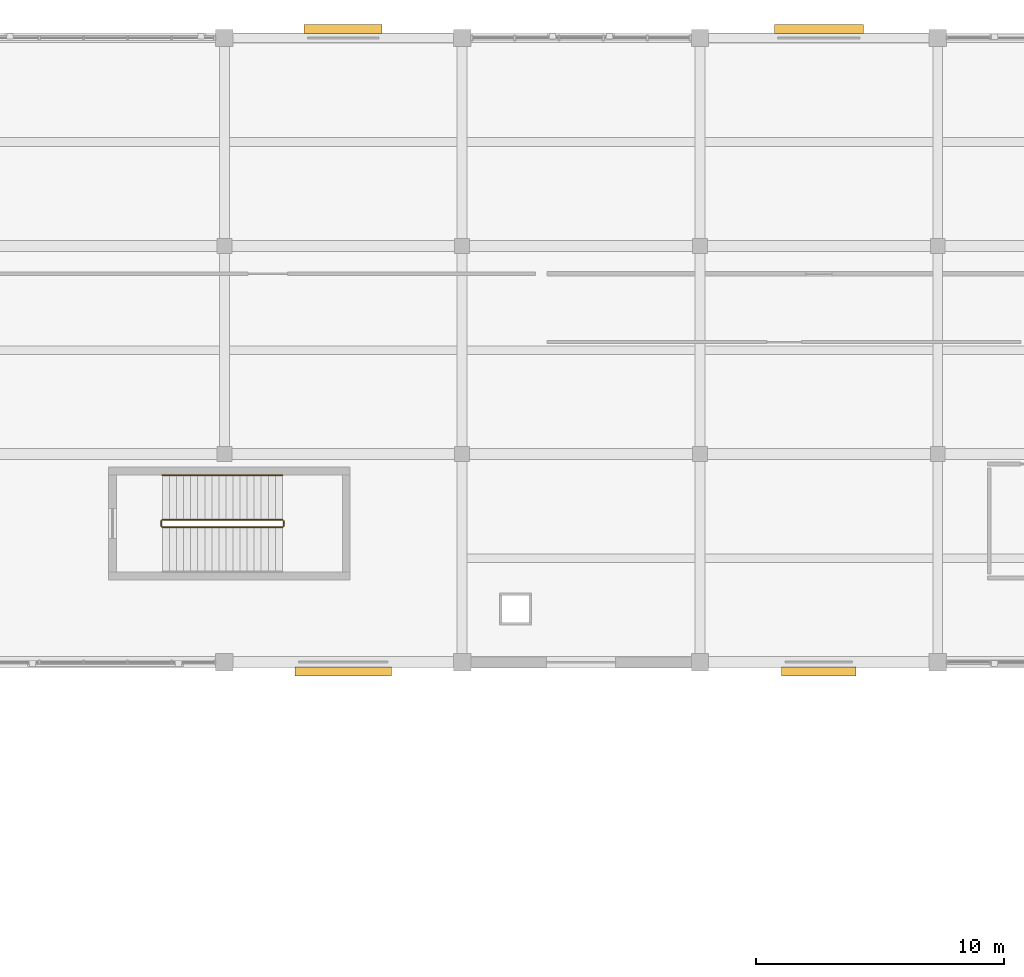
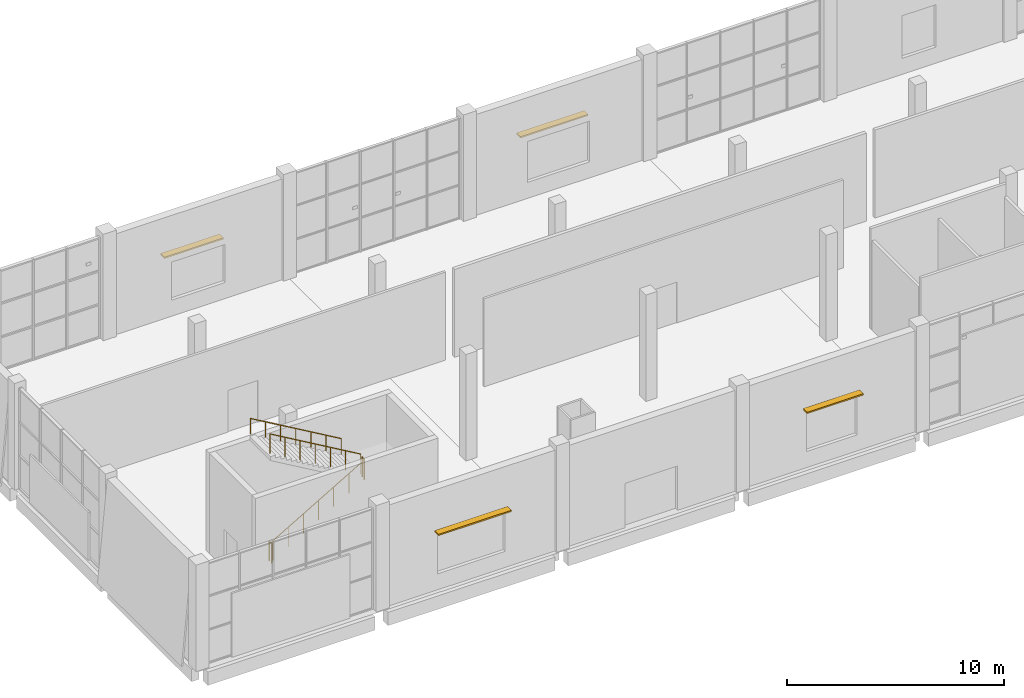
# One storey, part 78 of 84: 5 railings, 4 shading devices.
"""IFC4 building model written with IfcOpenShell, lengths in metres."""

import ifcopenshell
import ifcopenshell.guid

model = None  # the IFC model being written
_history = None  # IfcOwnerHistory: only IFC2X3 demands one
_inside = {}  # id of a spatial element -> (the spatial element, [elements in it])
_under = {}  # id of a project, library or spatial element -> (it, [spatial elements below it])
_declared = {}  # id of a project -> (the project, [libraries it declares])
_typed = {}  # id of a type object -> (the type object, [elements of that type])
_made_of = {}  # id of a material, layer set ... -> (it, [elements and type objects made of it])


def new_model(schema):
    """Start an empty IFC model of exactly this schema.

    Asked for "IFC4X3", IfcOpenShell would pick the latest addendum, in which some entities
    have other attributes; the version numbers below select the first issue.
    IFC2X3 requires an IfcOwnerHistory on every rooted entity: one is made here for all.
    """
    global model, _history
    if schema == "IFC4X3":
        model = ifcopenshell.file(schema_version=(4, 3, 0, 0))
    else:
        model = ifcopenshell.file(schema=schema)
    _inside.clear()
    _under.clear()
    _declared.clear()
    _typed.clear()
    _made_of.clear()
    _history = None
    if model.schema == "IFC2X3":
        org = make("IfcOrganization", Name="unknown")
        user = make(
            "IfcPersonAndOrganization",
            ThePerson=make("IfcPerson", FamilyName="unknown"),
            TheOrganization=org,
        )
        app = make(
            "IfcApplication",
            ApplicationDeveloper=org,
            Version="unknown",
            ApplicationFullName="unknown",
            ApplicationIdentifier="unknown",
        )
        _history = make(
            "IfcOwnerHistory",
            OwningUser=user,
            OwningApplication=app,
            ChangeAction="ADDED",
            CreationDate=0,
        )
    return model


def make(cls, **values):
    """One entity of the class cls with the attributes given. An attribute that is None is left unset."""
    return model.create_entity(
        cls, **{name: value for name, value in values.items() if value is not None}
    )


def rooted(cls, **values):
    """An entity with a GlobalId (a new one), such as an element, a storey or a relation."""
    return make(cls, GlobalId=ifcopenshell.guid.new(), OwnerHistory=_history, **values)


def si_unit(unit_type, name, prefix=None):
    """IfcSIUnit, for example si_unit("LENGTHUNIT", "METRE", prefix="MILLI")."""
    return make("IfcSIUnit", UnitType=unit_type, Prefix=prefix, Name=name)


def assignment(units):
    """IfcUnitAssignment: the units of a project."""
    return None if units is None else make("IfcUnitAssignment", Units=units)


def point(xyz):
    """IfcCartesianPoint."""
    return None if xyz is None else make("IfcCartesianPoint", Coordinates=xyz)


def direction(xyz):
    """IfcDirection."""
    return None if xyz is None else make("IfcDirection", DirectionRatios=xyz)


def frame(location, z_axis=None, x_axis=None):
    """IfcAxis2Placement3D, a coordinate frame: its origin and axes. An axis left out is left unset."""
    return make(
        "IfcAxis2Placement3D",
        Location=point(location),
        Axis=direction(z_axis),
        RefDirection=direction(x_axis),
    )


def frame_2d(location, x_axis=None):
    """IfcAxis2Placement2D, a coordinate frame in the plane: its origin and x axis."""
    return make(
        "IfcAxis2Placement2D", Location=point(location), RefDirection=direction(x_axis)
    )


def origin():
    """The frame at (0, 0, 0) with its axes left unset."""
    return frame((0.0, 0.0, 0.0))


def origin_2d():
    """The frame at (0, 0) in the plane with its x axis left unset."""
    return frame_2d((0.0, 0.0))


def place(relative_to, where):
    """IfcLocalPlacement: puts the frame where relative to a parent placement (None: the world)."""
    return make(
        "IfcLocalPlacement", PlacementRelTo=relative_to, RelativePlacement=where
    )


def context(
    kind, dimensions, precision=None, world=None, true_north=None, identifier=None
):
    """IfcGeometricRepresentationContext, for example the 3D "Model" context."""
    return make(
        "IfcGeometricRepresentationContext",
        ContextIdentifier=identifier,
        ContextType=kind,
        CoordinateSpaceDimension=dimensions,
        Precision=precision,
        WorldCoordinateSystem=world,
        TrueNorth=true_north,
    )


def subcontext(parent, identifier, kind, view, scale=None):
    """IfcGeometricRepresentationSubContext, for example "Body" below "Model"."""
    return make(
        "IfcGeometricRepresentationSubContext",
        ContextIdentifier=identifier,
        ContextType=kind,
        ParentContext=parent,
        TargetScale=scale,
        TargetView=view,
    )


def project(units=None, contexts=None):
    """IfcProject with its units and contexts."""
    return rooted(
        "IfcProject",
        Name="project",
        RepresentationContexts=contexts,
        UnitsInContext=assignment(units),
    )


def spatial(cls, under=None, at=None, **own):
    """A site, building, storey or space (cls), placed at a placement, below another one or the project."""
    s = rooted(cls, ObjectPlacement=at, **own)
    if under is not None:
        _under.setdefault(under.id(), (under, []))[1].append(s)
    return s


def profile(cls, at=None, kind="AREA", **sizes):
    """A parametric profile (cls). Its sizes go by their IFC names, for example OverallWidth=200.0."""
    return make(cls, ProfileType=kind, Position=at, **sizes)


def rectangle(**sizes):
    """IfcRectangleProfileDef."""
    return profile("IfcRectangleProfileDef", **sizes)


def circle(**sizes):
    """IfcCircleProfileDef."""
    return profile("IfcCircleProfileDef", **sizes)


def extrude(swept, where, along, depth):
    """IfcExtrudedAreaSolid: the profile swept, set in the frame where, extruded along a direction by depth."""
    return make(
        "IfcExtrudedAreaSolid",
        SweptArea=swept,
        Position=where,
        ExtrudedDirection=direction(along),
        Depth=depth,
    )


def shape(context_of_items, identifier, shape_type, items):
    """IfcShapeRepresentation: the items that make up one representation, for example the "Body"."""
    return make(
        "IfcShapeRepresentation",
        ContextOfItems=context_of_items,
        RepresentationIdentifier=identifier,
        RepresentationType=shape_type,
        Items=items,
    )


def material(Name=None, Category=None):
    """IfcMaterial."""
    return make("IfcMaterial", Name=Name, Category=Category)


def made_of(thing, what):
    """Note that an element or type object is made of a material, layer set ...; save() writes the relation."""
    if what is not None:
        _made_of.setdefault(what.id(), (what, []))[1].append(thing)
    return thing


def type_object(cls, material=None, **own):
    """A type object (cls), such as IfcWallType, which elements share."""
    return made_of(rooted(cls, **own), material)


def element(
    cls,
    number,
    at=None,
    inside=None,
    cuts=None,
    type_object=None,
    material=None,
    context=None,
    identifier="Body",
    shape_type=None,
    held_by="IfcProductDefinitionShape",
    body=None,
    shapes=None,
    **own,
):
    """One element of the class cls, such as IfcWall. Its Tag is "e" and its number.

    at: its placement. inside: the storey or other place that contains it. cuts: it is an
    opening in that element (IfcRelVoidsElement). A single representation is given by context,
    identifier, shape_type and body (its items); several are given by shapes. held_by: the class
    of the entity that holds the representations. save() writes the other relations.
    """
    e = rooted(cls, Tag="e%d" % number, ObjectPlacement=at, **own)
    if body is not None:
        shapes = [shape(context, identifier, shape_type, body)]
    if shapes is not None:
        e.Representation = make(held_by, Representations=shapes)
    if inside is not None:
        _inside.setdefault(inside.id(), (inside, []))[1].append(e)
    if cuts is not None:
        rooted(
            "IfcRelVoidsElement", RelatingBuildingElement=cuts, RelatedOpeningElement=e
        )
    if type_object is not None:
        _typed.setdefault(type_object.id(), (type_object, []))[1].append(e)
    return made_of(e, material)


def aggregate(whole, parts):
    """IfcRelAggregates: a whole, such as a stair, and the parts it consists of."""
    return rooted("IfcRelAggregates", RelatingObject=whole, RelatedObjects=parts)


def save(model, path):
    """Write the relations noted so far, then the file.

    IfcRelAggregates (storeys below a building ...), IfcRelContainedInSpatialStructure (elements
    in a storey), IfcRelDefinesByType, IfcRelAssociatesMaterial and IfcRelDeclares: one each for
    every whole, place, type object, material and project.
    """
    for whole, parts in _under.values():
        aggregate(whole, parts)
    for where, things in _inside.values():
        rooted(
            "IfcRelContainedInSpatialStructure",
            RelatedElements=things,
            RelatingStructure=where,
        )
    for kind, things in _typed.values():
        rooted("IfcRelDefinesByType", RelatedObjects=things, RelatingType=kind)
    for what, things in _made_of.values():
        rooted("IfcRelAssociatesMaterial", RelatedObjects=things, RelatingMaterial=what)
    for by, libraries in _declared.values():
        rooted("IfcRelDeclares", RelatingContext=by, RelatedDefinitions=libraries)
    model.write(path)


model = new_model("IFC4")

# Units and contexts
model_context = context("Model", 3, precision=1e-05, world=origin(), true_north=direction((0.0, 1.0)))
body_context = subcontext(model_context, "Body", "Model", "MODEL_VIEW")
ifc_project = project(units=[si_unit("LENGTHUNIT", "METRE"), si_unit("AREAUNIT", "SQUARE_METRE"), si_unit("VOLUMEUNIT", "CUBIC_METRE"), si_unit("PLANEANGLEUNIT", "RADIAN"), si_unit("MASSUNIT", "GRAM", prefix="KILO")], contexts=[model_context])

# Site, building, storey
site_placement = place(None, origin())
site = spatial("IfcSite", under=ifc_project, at=site_placement, CompositionType="ELEMENT")
building_placement = place(site_placement, origin())
building = spatial("IfcBuilding", under=site, at=building_placement, Name="Shalvenor Court Art Gallery", CompositionType="ELEMENT")
storey_placement = place(building_placement, origin())
storey = spatial("IfcBuildingStorey", under=building, at=storey_placement, Name="L00", CompositionType="ELEMENT", Elevation=0.0)

# Railings
ifc_material_1 = material(Name="Painted steel post-and-rail guard", Category="steel")
railing_type_1 = type_object("IfcRailingType", Name="GR-02", PredefinedType="GUARDRAIL", material=ifc_material_1)
railing_1_placement = place(storey_placement, frame((64.699951171875, 102.64990234375, 0.166748046875)))
element("IfcRailing", 1, at=railing_1_placement, inside=storey, type_object=railing_type_1, Name="L00 ST-09 Stair Guard 1", PredefinedType="GUARDRAIL", context=body_context, shape_type="SweptSolid", body=[
    extrude(circle(Radius=0.02392578125, at=origin_2d()), frame((0.0, 0.0, 1.09619140625), z_axis=(0.863234098208, 0.0, 0.504803815052), x_axis=(0.0, 1.0, 0.0)), (0.0, 0.0, 1.0), 5.612548828125),
    extrude(circle(Radius=0.02099609375, at=origin_2d()), origin(), (0.0, 0.0, 1.0), 1.072021484375),
    extrude(circle(Radius=0.02099609375, at=origin_2d()), frame((0.8076171875, 0.0, 0.47216796875)), (0.0, 0.0, 1.0), 1.072021484375),
    extrude(circle(Radius=0.02099609375, at=origin_2d()), frame((1.614990234375, 0.0, 0.9443359375)), (0.0, 0.0, 1.0), 1.072021484375),
    extrude(circle(Radius=0.02099609375, at=origin_2d()), frame((2.42236328125, 0.0, 1.41650390625)), (0.0, 0.0, 1.0), 1.072021484375),
    extrude(circle(Radius=0.02099609375, at=origin_2d()), frame((3.22998046875, 0.0, 1.888916015625)), (0.0, 0.0, 1.0), 1.072021484375),
    extrude(circle(Radius=0.02099609375, at=origin_2d()), frame((4.03759765625, 0.0, 2.361083984375)), (0.0, 0.0, 1.0), 1.072021484375),
    extrude(circle(Radius=0.02099609375, at=origin_2d()), frame((4.844970703125, 0.0, 2.833251953125)), (0.0, 0.0, 1.0), 1.072021484375),
])
railing_2_placement = place(storey_placement, frame((69.594970703125, 102.699951171875, 3.0)))
element("IfcRailing", 2, at=railing_2_placement, inside=storey, type_object=railing_type_1, Name="L00 ST-09 Stair Guard 2", PredefinedType="GUARDRAIL", context=body_context, shape_type="SweptSolid", body=[
    extrude(circle(Radius=0.02392578125, at=origin_2d()), frame((0.0, 0.0, 1.09619140625), z_axis=(0.0, 1.0, 0.0), x_axis=(-1.0, 0.0, 0.0)), (0.0, 0.0, 1.0), 0.199951171875),
    extrude(circle(Radius=0.02099609375, at=origin_2d()), origin(), (0.0, 0.0, 1.0), 1.072021484375),
    extrude(circle(Radius=0.02099609375, at=origin_2d()), frame((0.0, 0.199951171875, 0.0)), (0.0, 0.0, 1.0), 1.072021484375),
])
railing_3_placement = place(storey_placement, frame((69.544921875, 102.949951171875, 3.166748046875)))
element("IfcRailing", 3, at=railing_3_placement, inside=storey, type_object=railing_type_1, Name="L00 ST-09 Stair Guard 3", PredefinedType="GUARDRAIL", context=body_context, shape_type="SweptSolid", body=[
    extrude(circle(Radius=0.02392578125, at=origin_2d()), frame((0.0, 0.0, 1.09619140625), z_axis=(-0.863234098208, 0.0, 0.504803815052), x_axis=(0.0, -1.0, 0.0)), (0.0, 0.0, 1.0), 5.612548828125),
    extrude(circle(Radius=0.02099609375, at=origin_2d()), origin(), (0.0, 0.0, 1.0), 1.072021484375),
    extrude(circle(Radius=0.02099609375, at=origin_2d()), frame((-0.8076171875, 0.0, 0.47216796875)), (0.0, 0.0, 1.0), 1.072021484375),
    extrude(circle(Radius=0.02099609375, at=origin_2d()), frame((-1.614990234375, 0.0, 0.9443359375)), (0.0, 0.0, 1.0), 1.072021484375),
    extrude(circle(Radius=0.02099609375, at=origin_2d()), frame((-2.42236328125, 0.0, 1.41650390625)), (0.0, 0.0, 1.0), 1.072021484375),
    extrude(circle(Radius=0.02099609375, at=origin_2d()), frame((-3.22998046875, 0.0, 1.888916015625)), (0.0, 0.0, 1.0), 1.072021484375),
    extrude(circle(Radius=0.02099609375, at=origin_2d()), frame((-4.03759765625, 0.0, 2.361083984375)), (0.0, 0.0, 1.0), 1.072021484375),
    extrude(circle(Radius=0.02099609375, at=origin_2d()), frame((-4.844970703125, 0.0, 2.833251953125)), (0.0, 0.0, 1.0), 1.072021484375),
])
railing_4_placement = place(storey_placement, frame((64.64990234375, 102.699951171875, 0.0)))
element("IfcRailing", 4, at=railing_4_placement, inside=storey, type_object=railing_type_1, Name="L00 ST-09 Stair Guard 4", PredefinedType="GUARDRAIL", context=body_context, shape_type="SweptSolid", body=[
    extrude(circle(Radius=0.02392578125, at=origin_2d()), frame((0.0, 0.0, 1.09619140625), z_axis=(0.0, 1.0, 0.0), x_axis=(-1.0, 0.0, 0.0)), (0.0, 0.0, 1.0), 0.199951171875),
    extrude(circle(Radius=0.02099609375, at=origin_2d()), origin(), (0.0, 0.0, 1.0), 1.072021484375),
    extrude(circle(Radius=0.02099609375, at=origin_2d()), frame((0.0, 0.199951171875, 0.0)), (0.0, 0.0, 1.0), 1.072021484375),
])
ifc_material_2 = material(Name="Brushed stainless steel handrail", Category="steel")
railing_type_2 = type_object("IfcRailingType", Name="HR-01", PredefinedType="HANDRAIL", material=ifc_material_2)
railing_5_placement = place(storey_placement, frame((69.544921875, 104.75, 3.166748046875)))
element("IfcRailing", 5, at=railing_5_placement, inside=storey, type_object=railing_type_2, Name="L00 ST-09 Stair Handrail 2", PredefinedType="HANDRAIL", context=body_context, shape_type="SweptSolid", body=[
    extrude(circle(Radius=0.02392578125, at=origin_2d()), frame((0.0, 0.0, 0.8759765625), z_axis=(-0.863234098208, 0.0, 0.504803815052), x_axis=(0.0, -1.0, 0.0)), (0.0, 0.0, 1.0), 5.612548828125),
    extrude(circle(Radius=0.02099609375, at=origin_2d()), origin(), (0.0, 0.0, 1.0), 0.851806640625),
    extrude(circle(Radius=0.02099609375, at=origin_2d()), frame((-0.8076171875, 0.0, 0.47216796875)), (0.0, 0.0, 1.0), 0.851806640625),
    extrude(circle(Radius=0.02099609375, at=origin_2d()), frame((-1.614990234375, 0.0, 0.9443359375)), (0.0, 0.0, 1.0), 0.851806640625),
    extrude(circle(Radius=0.02099609375, at=origin_2d()), frame((-2.42236328125, 0.0, 1.41650390625)), (0.0, 0.0, 1.0), 0.851806640625),
    extrude(circle(Radius=0.02099609375, at=origin_2d()), frame((-3.22998046875, 0.0, 1.888916015625)), (0.0, 0.0, 1.0), 0.851806640625),
    extrude(circle(Radius=0.02099609375, at=origin_2d()), frame((-4.03759765625, 0.0, 2.361083984375)), (0.0, 0.0, 1.0), 0.851806640625),
    extrude(circle(Radius=0.02099609375, at=origin_2d()), frame((-4.844970703125, 0.0, 2.833251953125)), (0.0, 0.0, 1.0), 0.851806640625),
])

# Shading devices
ifc_material_3 = material(Name="Dark anodised bronze aluminium louvre", Category="aluminium")
shading_device_type = type_object("IfcShadingDeviceType", Name="SHD-01", PredefinedType="JALOUSIE", material=ifc_material_3)
shading_device_1_placement = place(storey_placement, frame((72.0, 122.77001953125, 3.050048828125), z_axis=(0.0, 0.0, 1.0), x_axis=(1.0, 0.0, 0.0)))
element("IfcShadingDevice", 6, at=shading_device_1_placement, inside=storey, type_object=shading_device_type, Name="L00 Koushi Window Sunshade 21", PredefinedType="JALOUSIE", context=body_context, shape_type="SweptSolid", body=[
    extrude(rectangle(XDim=3.14990234375, YDim=0.360107421875, at=origin_2d()), origin(), (0.0, 0.0, 1.0), 0.080078125),
])
shading_device_2_placement = place(storey_placement, frame((91.199951171875, 122.77001953125, 3.199951171875), z_axis=(0.0, 0.0, 1.0), x_axis=(1.0, 0.0, 0.0)))
element("IfcShadingDevice", 7, at=shading_device_2_placement, inside=storey, type_object=shading_device_type, Name="L00 Koushi Window Sunshade 22", PredefinedType="JALOUSIE", context=body_context, shape_type="SweptSolid", body=[
    extrude(rectangle(XDim=3.60009765625, YDim=0.360107421875, at=origin_2d()), origin(), (0.0, 0.0, 1.0), 0.080078125),
])
shading_device_3_placement = place(storey_placement, frame((91.199951171875, 96.830078125, 3.300048828125), z_axis=(0.0, 0.0, 1.0), x_axis=(-1.0, 0.0, 0.0)))
element("IfcShadingDevice", 8, at=shading_device_3_placement, inside=storey, type_object=shading_device_type, Name="L00 Koushi Window Sunshade 25", PredefinedType="JALOUSIE", context=body_context, shape_type="SweptSolid", body=[
    extrude(rectangle(XDim=3.0, YDim=0.360107421875, at=origin_2d()), origin(), (0.0, 0.0, 1.0), 0.080078125),
])
shading_device_4_placement = place(storey_placement, frame((72.0, 96.830078125, 3.300048828125), z_axis=(0.0, 0.0, 1.0), x_axis=(-1.0, 0.0, 0.0)))
element("IfcShadingDevice", 9, at=shading_device_4_placement, inside=storey, type_object=shading_device_type, Name="L00 Koushi Window Sunshade 26", PredefinedType="JALOUSIE", context=body_context, shape_type="SweptSolid", body=[
    extrude(rectangle(XDim=3.89990234375, YDim=0.360107421875, at=origin_2d()), origin(), (0.0, 0.0, 1.0), 0.080078125),
])

save(model, "model.ifc")
